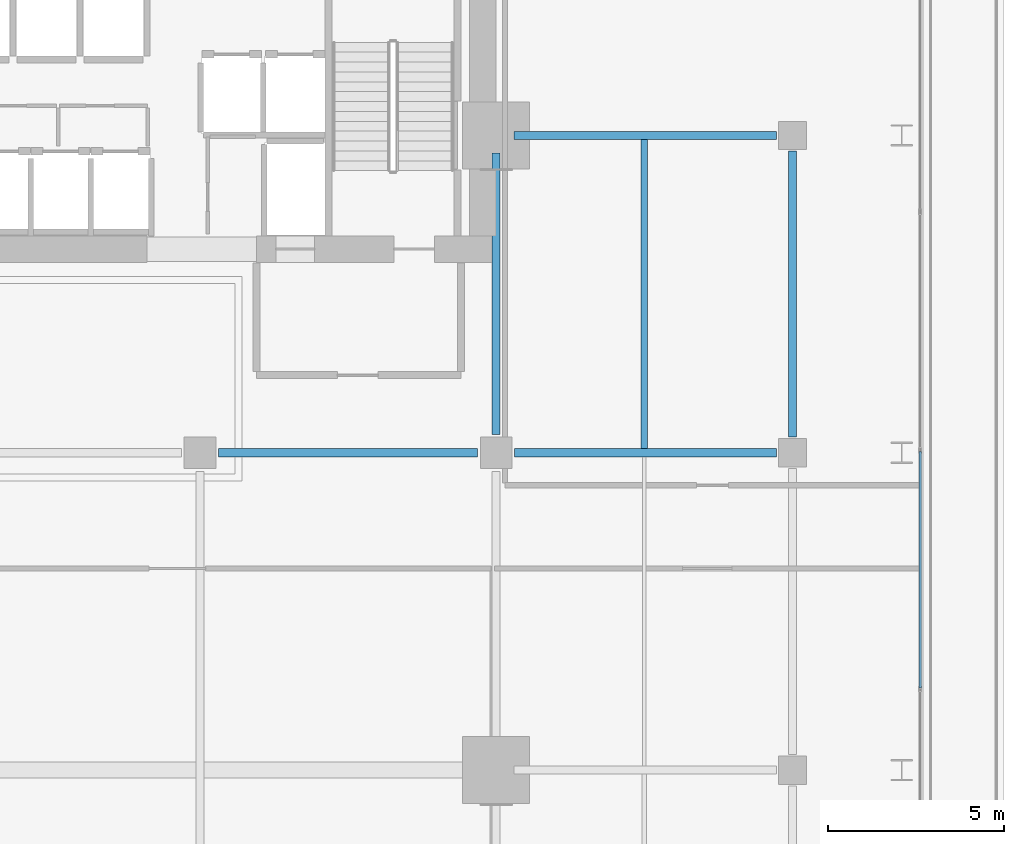
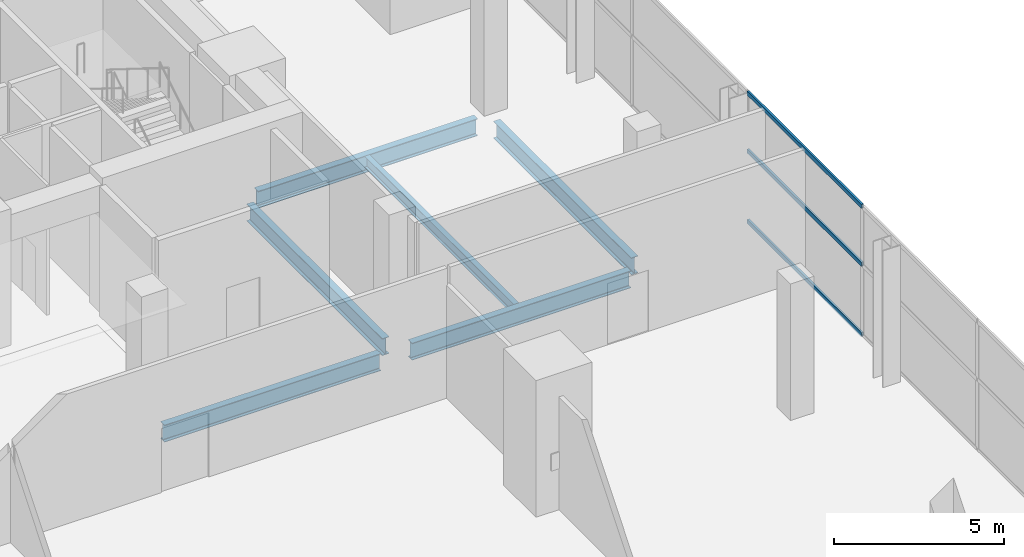
# One storey, part 20 of 31: 6 beams, 3 members, 1 element without a shape of its own.
"""IFC4 building model written with IfcOpenShell, lengths in metres."""

from ifc_helpers import new_model, si_unit, direction, frame, origin, origin_2d, place, context, subcontext, project, spatial, hollow_rectangle, i_section, extrude, material, layer, layer_set, material_profile, profile_set, type_object, element, aggregate, save


model = new_model("IFC4")

# Units and contexts
model_context = context("Model", 3, precision=1e-05, world=origin(), true_north=direction((0.0, 1.0)))
body_context = subcontext(model_context, "Body", "Model", "MODEL_VIEW")
ifc_project = project(units=[si_unit("LENGTHUNIT", "METRE"), si_unit("AREAUNIT", "SQUARE_METRE"), si_unit("VOLUMEUNIT", "CUBIC_METRE"), si_unit("PLANEANGLEUNIT", "RADIAN"), si_unit("MASSUNIT", "GRAM", prefix="KILO")], contexts=[model_context])

# Site, building, storey
site_placement = place(None, origin())
site = spatial("IfcSite", under=ifc_project, at=site_placement, CompositionType="ELEMENT")
building_placement = place(site_placement, origin())
building = spatial("IfcBuilding", under=site, at=building_placement, Name="Maruvema Waterfront Hotel and Observation Tower", CompositionType="ELEMENT")
storey_placement = place(building_placement, frame((0.0, 0.0, 122.5)))
storey = spatial("IfcBuildingStorey", under=building, at=storey_placement, Name="L29", CompositionType="ELEMENT", Elevation=122.5)

# Curtain wall, members
ifc_material_1 = material(Name="Anodised bronze aluminium and solar-control low-E IGU", Category="aluminium")
ifc_layer = layer(ifc_material_1, 0.159912109375, Name="Zone 2 Amber Inner Thermal Curtain Wall System CW-03")
ifc_layer_set = layer_set([ifc_layer], Name="Anodised bronze aluminium and solar-control low-E IGU")
curtain_wall_type = type_object("IfcCurtainWallType", Name="Zone 2 Amber Inner Thermal Curtain Wall System CW-03", PredefinedType="USERDEFINED", material=ifc_layer_set)
curtain_wall_placement = place(storey_placement, origin())
curtain_wall = element("IfcCurtainWall", 1, at=curtain_wall_placement, inside=storey, type_object=curtain_wall_type, Name="L29 Curtain Wall CW-L29-E", ObjectType="UNITISED CURTAIN WALL", PredefinedType="USERDEFINED")
ifc_material_2 = material(Name="Anodised architectural bronze aluminium", Category="aluminium")
ifc_material_profile_1 = material_profile(ifc_material_2, hollow_rectangle(XDim=0.070068359375, YDim=0.14990234375, WallThickness=0.00390625, at=origin_2d()), Name="ALU-T70x150")
ifc_profile_set_1 = profile_set([ifc_material_profile_1], Name="Anodised architectural bronze aluminium")
member_type = type_object("IfcMemberType", Name="Curtain Wall Horizontal Transom ALU-T70x150", PredefinedType="USERDEFINED", material=ifc_profile_set_1)
member_1_placement = place(storey_placement, frame((62.419921875, 29.330078125, 0.030029296875), z_axis=(0.0, 1.0, 0.0), x_axis=(-1.0, 0.0, 0.0)))
member_1 = element("IfcMember", 2, at=member_1_placement, type_object=member_type, Name="CW-03 transom 4.1", ObjectType="TRANSOM", PredefinedType="USERDEFINED", context=body_context, shape_type="SweptSolid", body=[
    extrude(hollow_rectangle(XDim=0.070068359375, YDim=0.14990234375, WallThickness=0.00390625, at=origin_2d()), origin(), (0.0, 0.0, 1.0), 6.70654296875),
])
member_2_placement = place(storey_placement, frame((62.419921875, 29.330078125, 2.550048828125), z_axis=(0.0, 1.0, 0.0), x_axis=(-1.0, 0.0, 0.0)))
member_2 = element("IfcMember", 3, at=member_2_placement, type_object=member_type, Name="CW-03 transom 4.2", ObjectType="TRANSOM", PredefinedType="USERDEFINED", context=body_context, shape_type="SweptSolid", body=[
    extrude(hollow_rectangle(XDim=0.070068359375, YDim=0.14990234375, WallThickness=0.00390625, at=origin_2d()), origin(), (0.0, 0.0, 1.0), 6.70654296875),
])
member_3_placement = place(storey_placement, frame((62.419921875, 29.330078125, 4.6298828125), z_axis=(0.0, 1.0, 0.0), x_axis=(-1.0, 0.0, 0.0)))
member_3 = element("IfcMember", 4, at=member_3_placement, type_object=member_type, Name="CW-03 transom 4.3", ObjectType="TRANSOM", PredefinedType="USERDEFINED", context=body_context, shape_type="SweptSolid", body=[
    extrude(hollow_rectangle(XDim=0.070068359375, YDim=0.14990234375, WallThickness=0.00390625, at=origin_2d()), origin(), (0.0, 0.0, 1.0), 6.70654296875),
])
aggregate(curtain_wall, [member_1, member_2, member_3])

# Beams
ifc_material_3 = material(Name="Steel ASTM A572 Grade 50", Category="steel")
ifc_material_profile_2 = material_profile(ifc_material_3, i_section(OverallWidth=0.22900390625, OverallDepth=0.612060546875, WebThickness=0.011962890625, FlangeThickness=0.01953125, FilletRadius=0.01806640625, at=origin_2d()), Name="W610x125.0")
ifc_profile_set_2 = profile_set([ifc_material_profile_2], Name="Steel ASTM A572 Grade 50")
beam_type_1 = type_object("IfcBeamType", Name="Primary Floor Girder W610x125.0", PredefinedType="BEAM", material=ifc_profile_set_2)
beam_1_placement = place(storey_placement, frame((42.52490234375, 36.0, -0.5458984375), z_axis=(1.0, 0.0, 0.0), x_axis=(0.0, 1.0, 0.0)))
element("IfcBeam", 5, at=beam_1_placement, inside=storey, type_object=beam_type_1, Name="L29 Floor Girder EW-17", PredefinedType="BEAM", context=body_context, shape_type="SweptSolid", body=[
    extrude(i_section(OverallWidth=0.22900390625, OverallDepth=0.612060546875, WebThickness=0.011962890625, FlangeThickness=0.01953125, FilletRadius=0.01806640625, at=origin_2d()), origin(), (0.0, 0.0, 1.0), 7.35009765625),
])
beam_2_placement = place(storey_placement, frame((50.925048828125, 36.0, -0.5458984375), z_axis=(1.0, 0.0, 0.0), x_axis=(0.0, 1.0, 0.0)))
element("IfcBeam", 6, at=beam_2_placement, inside=storey, type_object=beam_type_1, Name="L29 Floor Girder EW-18", PredefinedType="BEAM", context=body_context, shape_type="SweptSolid", body=[
    extrude(i_section(OverallWidth=0.22900390625, OverallDepth=0.612060546875, WebThickness=0.011962890625, FlangeThickness=0.01953125, FilletRadius=0.01806640625, at=origin_2d()), origin(), (0.0, 0.0, 1.0), 7.425048828125),
])
beam_3_placement = place(storey_placement, frame((50.89990234375, 45.0, -0.5458984375), z_axis=(1.0, 0.0, 0.0), x_axis=(0.0, 1.0, 0.0)))
element("IfcBeam", 7, at=beam_3_placement, inside=storey, type_object=beam_type_1, Name="L29 Floor Girder EW-20", PredefinedType="BEAM", context=body_context, shape_type="SweptSolid", body=[
    extrude(i_section(OverallWidth=0.22900390625, OverallDepth=0.612060546875, WebThickness=0.011962890625, FlangeThickness=0.01953125, FilletRadius=0.01806640625, at=origin_2d()), origin(), (0.0, 0.0, 1.0), 7.4501953125),
])
beam_4_placement = place(storey_placement, frame((50.39990234375, 36.52490234375, -0.5458984375), z_axis=(0.0, 1.0, 0.0), x_axis=(-1.0, 0.0, 0.0)))
element("IfcBeam", 8, at=beam_4_placement, inside=storey, type_object=beam_type_1, Name="L29 Floor Girder NS-16", PredefinedType="BEAM", context=body_context, shape_type="SweptSolid", body=[
    extrude(i_section(OverallWidth=0.22900390625, OverallDepth=0.612060546875, WebThickness=0.011962890625, FlangeThickness=0.01953125, FilletRadius=0.01806640625, at=origin_2d()), origin(), (0.0, 0.0, 1.0), 7.97509765625),
])
beam_5_placement = place(storey_placement, frame((58.800048828125, 36.449951171875, -0.5458984375), z_axis=(0.0, 1.0, 0.0), x_axis=(-1.0, 0.0, 0.0)))
element("IfcBeam", 9, at=beam_5_placement, inside=storey, type_object=beam_type_1, Name="L29 Floor Girder NS-20", PredefinedType="BEAM", context=body_context, shape_type="SweptSolid", body=[
    extrude(i_section(OverallWidth=0.22900390625, OverallDepth=0.612060546875, WebThickness=0.011962890625, FlangeThickness=0.01953125, FilletRadius=0.01806640625, at=origin_2d()), origin(), (0.0, 0.0, 1.0), 8.10009765625),
])
ifc_material_4 = material(Name="Steel ASTM A572 Grade 50", Category="steel")
ifc_material_profile_3 = material_profile(ifc_material_4, i_section(OverallWidth=0.177001953125, OverallDepth=0.403076171875, WebThickness=0.007568359375, FlangeThickness=0.010986328125, FilletRadius=0.014892578125, at=origin_2d()), Name="W410x53.0")
ifc_profile_set_3 = profile_set([ifc_material_profile_3], Name="Steel ASTM A572 Grade 50")
beam_type_2 = type_object("IfcBeamType", Name="Secondary Floor Joist W410x53.0", PredefinedType="JOIST", material=ifc_profile_set_3)
beam_6_placement = place(storey_placement, frame((54.60009765625, 36.114501953125, -0.44140625), z_axis=(0.0, 1.0, 0.0), x_axis=(-1.0, 0.0, 0.0)))
element("IfcBeam", 10, at=beam_6_placement, inside=storey, type_object=beam_type_2, Name="L29 Secondary Floor Joist JS-11", PredefinedType="JOIST", context=body_context, shape_type="SweptSolid", body=[
    extrude(i_section(OverallWidth=0.177001953125, OverallDepth=0.403076171875, WebThickness=0.007568359375, FlangeThickness=0.010986328125, FilletRadius=0.014892578125, at=origin_2d()), origin(), (0.0, 0.0, 1.0), 8.77099609375),
])

save(model, "model.ifc")
